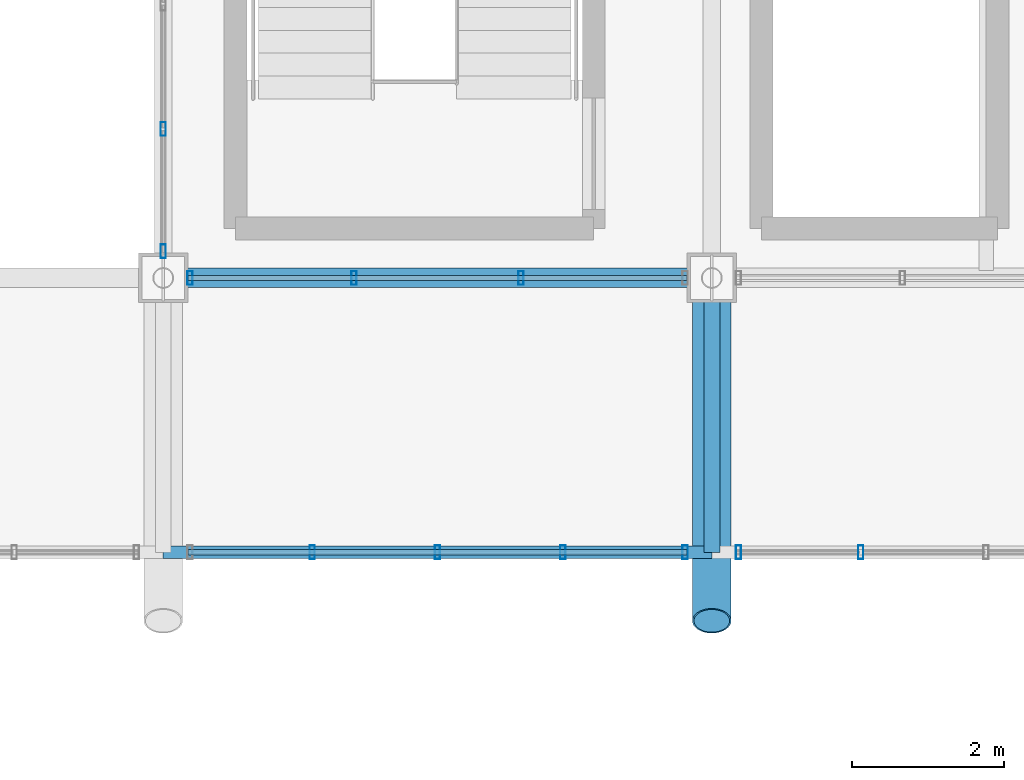
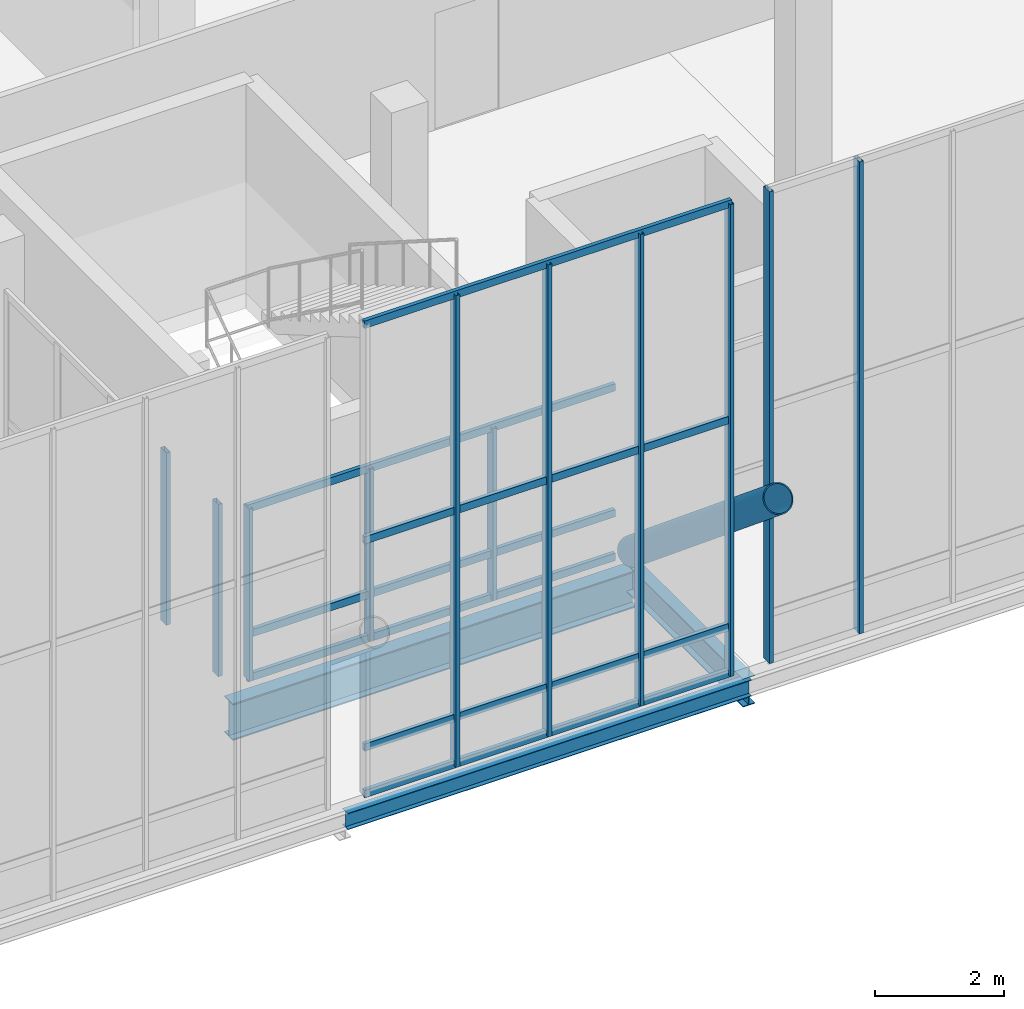
# One storey, part 45 of 102: 19 members, 3 beams, 4 elements without a shape of their own.
"""IFC4 building model written with IfcOpenShell, lengths in metres."""

from ifc_helpers import new_model, si_unit, direction, frame, origin, origin_2d, place, context, subcontext, project, spatial, hollow_rectangle, hollow_circle, i_section, extrude, material, material_profile, profile_set, type_object, element, aggregate, save


model = new_model("IFC4")

# Units and contexts
model_context = context("Model", 3, precision=1e-05, world=origin(), true_north=direction((0.0, 1.0)))
body_context = subcontext(model_context, "Body", "Model", "MODEL_VIEW")
ifc_project = project(units=[si_unit("LENGTHUNIT", "METRE"), si_unit("AREAUNIT", "SQUARE_METRE"), si_unit("VOLUMEUNIT", "CUBIC_METRE"), si_unit("PLANEANGLEUNIT", "RADIAN"), si_unit("MASSUNIT", "GRAM", prefix="KILO")], contexts=[model_context])

# Site, building, storey
site_placement = place(None, origin())
site = spatial("IfcSite", under=ifc_project, at=site_placement, CompositionType="ELEMENT")
building_placement = place(site_placement, origin())
building = spatial("IfcBuilding", under=site, at=building_placement, Name="Yarey Park Central Fire Station", CompositionType="ELEMENT")
storey_placement = place(building_placement, frame((0.0, 0.0, 6.0)))
storey = spatial("IfcBuildingStorey", under=building, at=storey_placement, Name="L02", CompositionType="ELEMENT", Elevation=6.0)

# Curtain wall, members
ifc_material_1 = material(Name="Anodized Aluminium Frame", Category="aluminium")
curtain_wall_type_1 = type_object("IfcCurtainWallType", Name="ENV_CW_CLER_9M", PredefinedType="NOTDEFINED", material=ifc_material_1)
curtain_wall_1_placement = place(storey_placement, origin())
curtain_wall_1 = element("IfcCurtainWall", 1, at=curtain_wall_1_placement, inside=storey, type_object=curtain_wall_type_1, Name="CW_V2_CLER_N_09", PredefinedType="NOTDEFINED")
ifc_material_profile_1 = material_profile(ifc_material_1, hollow_rectangle(XDim=0.070068359375, YDim=0.179931640625, WallThickness=0.00390625, at=origin_2d()), Name="ALU 180x70x4")
ifc_profile_set_1 = profile_set([ifc_material_profile_1], Name="Anodized Aluminium Frame")
member_type_1 = type_object("IfcMemberType", Name="ENV_CW_MULLION", PredefinedType="MULLION", material=ifc_profile_set_1)
member_1_placement = place(storey_placement, frame((122.050048828125, 90.0, 0.0), z_axis=(0.0, 0.0, 1.0), x_axis=(1.0, 0.0, 0.0)))
member_1 = element("IfcMember", 2, at=member_1_placement, type_object=member_type_1, Name="CW_V2_CLER_N_09_MUL1", PredefinedType="MULLION", context=body_context, shape_type="SweptSolid", body=[
    extrude(hollow_rectangle(XDim=0.070068359375, YDim=0.179931640625, WallThickness=0.00390625, at=origin_2d()), origin(), (0.0, 0.0, 1.0), 8.89990234375),
])
member_2_placement = place(storey_placement, frame((120.445068359375, 90.0, 0.0), z_axis=(0.0, 0.0, 1.0), x_axis=(1.0, 0.0, 0.0)))
member_2 = element("IfcMember", 3, at=member_2_placement, type_object=member_type_1, Name="CW_V2_CLER_N_09_MUL2", PredefinedType="MULLION", context=body_context, shape_type="SweptSolid", body=[
    extrude(hollow_rectangle(XDim=0.070068359375, YDim=0.179931640625, WallThickness=0.00390625, at=origin_2d()), origin(), (0.0, 0.0, 1.0), 8.89990234375),
])
member_3_placement = place(storey_placement, frame((118.800048828125, 90.0, 0.0), z_axis=(0.0, 0.0, 1.0), x_axis=(1.0, 0.0, 0.0)))
member_3 = element("IfcMember", 4, at=member_3_placement, type_object=member_type_1, Name="CW_V2_CLER_N_09_MUL3", PredefinedType="MULLION", context=body_context, shape_type="SweptSolid", body=[
    extrude(hollow_rectangle(XDim=0.070068359375, YDim=0.179931640625, WallThickness=0.00390625, at=origin_2d()), origin(), (0.0, 0.0, 1.0), 8.89990234375),
])
member_4_placement = place(storey_placement, frame((117.155029296875, 90.0, 0.0), z_axis=(0.0, 0.0, 1.0), x_axis=(1.0, 0.0, 0.0)))
member_4 = element("IfcMember", 5, at=member_4_placement, type_object=member_type_1, Name="CW_V2_CLER_N_09_MUL4", PredefinedType="MULLION", context=body_context, shape_type="SweptSolid", body=[
    extrude(hollow_rectangle(XDim=0.070068359375, YDim=0.179931640625, WallThickness=0.00390625, at=origin_2d()), origin(), (0.0, 0.0, 1.0), 8.89990234375),
])

curtain_wall_2_placement = place(storey_placement, origin())
curtain_wall_2 = element("IfcCurtainWall", 6, at=curtain_wall_2_placement, inside=storey, type_object=curtain_wall_type_1, Name="CW_V2_CLER_N_10", PredefinedType="NOTDEFINED")
member_5_placement = place(storey_placement, frame((124.35498046875, 90.0, 0.0), z_axis=(0.0, 0.0, 1.0), x_axis=(1.0, 0.0, 0.0)))
member_5 = element("IfcMember", 7, at=member_5_placement, type_object=member_type_1, Name="CW_V2_CLER_N_10_MUL4", PredefinedType="MULLION", context=body_context, shape_type="SweptSolid", body=[
    extrude(hollow_rectangle(XDim=0.070068359375, YDim=0.179931640625, WallThickness=0.00390625, at=origin_2d()), origin(), (0.0, 0.0, 1.0), 8.89990234375),
])
member_6_placement = place(storey_placement, frame((122.75, 90.0, 0.0), z_axis=(0.0, 0.0, 1.0), x_axis=(1.0, 0.0, 0.0)))
member_6 = element("IfcMember", 8, at=member_6_placement, type_object=member_type_1, Name="CW_V2_CLER_N_10_MUL5", PredefinedType="MULLION", context=body_context, shape_type="SweptSolid", body=[
    extrude(hollow_rectangle(XDim=0.070068359375, YDim=0.179931640625, WallThickness=0.00390625, at=origin_2d()), origin(), (0.0, 0.0, 1.0), 8.89990234375),
])
aggregate(curtain_wall_2, [member_5, member_6])

curtain_wall_type_2 = type_object("IfcCurtainWallType", Name="ENV_CW_HQ_L02", PredefinedType="NOTDEFINED", material=ifc_material_1)
curtain_wall_3_placement = place(storey_placement, origin())
curtain_wall_3 = element("IfcCurtainWall", 9, at=curtain_wall_3_placement, inside=storey, type_object=curtain_wall_type_2, Name="CW_L02_V4_S_1", PredefinedType="NOTDEFINED")
member_7_placement = place(storey_placement, frame((115.550048828125, 93.60009765625, 0.0), z_axis=(0.0, 0.0, 1.0), x_axis=(1.0, 0.0, 0.0)))
member_7 = element("IfcMember", 10, at=member_7_placement, type_object=member_type_1, Name="CW_L02_V4_S_1_MUL1", PredefinedType="MULLION", context=body_context, shape_type="SweptSolid", body=[
    extrude(hollow_rectangle(XDim=0.070068359375, YDim=0.179931640625, WallThickness=0.00390625, at=origin_2d()), origin(), (0.0, 0.0, 1.0), 3.2470703125),
])
member_8_placement = place(storey_placement, frame((117.703369140625, 93.60009765625, 0.0), z_axis=(0.0, 0.0, 1.0), x_axis=(1.0, 0.0, 0.0)))
member_8 = element("IfcMember", 11, at=member_8_placement, type_object=member_type_1, Name="CW_L02_V4_S_1_MUL2", PredefinedType="MULLION", context=body_context, shape_type="SweptSolid", body=[
    extrude(hollow_rectangle(XDim=0.070068359375, YDim=0.179931640625, WallThickness=0.00390625, at=origin_2d()), origin(), (0.0, 0.0, 1.0), 3.2470703125),
])
member_9_placement = place(storey_placement, frame((119.896728515625, 93.60009765625, 0.0), z_axis=(0.0, 0.0, 1.0), x_axis=(1.0, 0.0, 0.0)))
member_9 = element("IfcMember", 12, at=member_9_placement, type_object=member_type_1, Name="CW_L02_V4_S_1_MUL3", PredefinedType="MULLION", context=body_context, shape_type="SweptSolid", body=[
    extrude(hollow_rectangle(XDim=0.070068359375, YDim=0.179931640625, WallThickness=0.00390625, at=origin_2d()), origin(), (0.0, 0.0, 1.0), 3.2470703125),
])

curtain_wall_4_placement = place(storey_placement, origin())
curtain_wall_4 = element("IfcCurtainWall", 13, at=curtain_wall_4_placement, inside=storey, type_object=curtain_wall_type_2, Name="CW_L02_V4_W_93", PredefinedType="NOTDEFINED")
member_10_placement = place(storey_placement, frame((115.199951171875, 95.554931640625, 0.0), z_axis=(0.0, 0.0, 1.0), x_axis=(1.0, 0.0, 0.0)))
member_10 = element("IfcMember", 14, at=member_10_placement, type_object=member_type_1, Name="CW_L02_V4_W_93_MUL4", PredefinedType="MULLION", context=body_context, shape_type="SweptSolid", body=[
    extrude(hollow_rectangle(XDim=0.070068359375, YDim=0.179931640625, WallThickness=0.00390625, at=origin_2d()), origin(), (0.0, 0.0, 1.0), 3.25),
])
member_11_placement = place(storey_placement, frame((115.199951171875, 93.949951171875, 0.0), z_axis=(0.0, 0.0, 1.0), x_axis=(1.0, 0.0, 0.0)))
member_11 = element("IfcMember", 15, at=member_11_placement, type_object=member_type_1, Name="CW_L02_V4_W_93_MUL5", PredefinedType="MULLION", context=body_context, shape_type="SweptSolid", body=[
    extrude(hollow_rectangle(XDim=0.070068359375, YDim=0.179931640625, WallThickness=0.00390625, at=origin_2d()), origin(), (0.0, 0.0, 1.0), 3.25),
])
aggregate(curtain_wall_4, [member_10, member_11])

# Member
ifc_material_profile_2 = material_profile(ifc_material_1, hollow_rectangle(XDim=0.070068359375, YDim=0.139892578125, WallThickness=0.00390625, at=origin_2d()), Name="ALU 140x70x4")
ifc_profile_set_2 = profile_set([ifc_material_profile_2], Name="Anodized Aluminium Frame")
member_type_2 = type_object("IfcMemberType", Name="ENV_CW_TRANSOM", PredefinedType="USERDEFINED", material=ifc_profile_set_2)
member_12_placement = place(storey_placement, frame((122.074951171875, 90.0, 0.02490234375), z_axis=(-1.0, 0.0, 0.0), x_axis=(0.0, -1.0, 0.0)))
member_12 = element("IfcMember", 16, at=member_12_placement, type_object=member_type_2, Name="CW_V2_CLER_N_09_TRN1", ObjectType="TRANSOM", PredefinedType="USERDEFINED", context=body_context, shape_type="SweptSolid", body=[
    extrude(hollow_rectangle(XDim=0.070068359375, YDim=0.139892578125, WallThickness=0.00390625, at=origin_2d()), origin(), (0.0, 0.0, 1.0), 6.550048828125),
])

member_13_placement = place(storey_placement, frame((122.074951171875, 90.0, 0.89990234375), z_axis=(-1.0, 0.0, 0.0), x_axis=(0.0, -1.0, 0.0)))
member_13 = element("IfcMember", 17, at=member_13_placement, type_object=member_type_2, Name="CW_V2_CLER_N_09_TRN2", ObjectType="TRANSOM", PredefinedType="USERDEFINED", context=body_context, shape_type="SweptSolid", body=[
    extrude(hollow_rectangle(XDim=0.070068359375, YDim=0.139892578125, WallThickness=0.00390625, at=origin_2d()), origin(), (0.0, 0.0, 1.0), 6.550048828125),
])

member_14_placement = place(storey_placement, frame((122.074951171875, 90.0, 4.805908203125), z_axis=(-1.0, 0.0, 0.0), x_axis=(0.0, -1.0, 0.0)))
member_14 = element("IfcMember", 18, at=member_14_placement, type_object=member_type_2, Name="CW_V2_CLER_N_09_TRN3", ObjectType="TRANSOM", PredefinedType="USERDEFINED", context=body_context, shape_type="SweptSolid", body=[
    extrude(hollow_rectangle(XDim=0.070068359375, YDim=0.139892578125, WallThickness=0.00390625, at=origin_2d()), origin(), (0.0, 0.0, 1.0), 6.550048828125),
])

member_15_placement = place(storey_placement, frame((122.074951171875, 90.0, 8.875), z_axis=(-1.0, 0.0, 0.0), x_axis=(0.0, -1.0, 0.0)))
member_15 = element("IfcMember", 19, at=member_15_placement, type_object=member_type_2, Name="CW_V2_CLER_N_09_TRN4", ObjectType="TRANSOM", PredefinedType="USERDEFINED", context=body_context, shape_type="SweptSolid", body=[
    extrude(hollow_rectangle(XDim=0.070068359375, YDim=0.139892578125, WallThickness=0.00390625, at=origin_2d()), origin(), (0.0, 0.0, 1.0), 6.550048828125),
])

aggregate(curtain_wall_1, [member_1, member_2, member_3, member_4, member_12, member_13, member_14, member_15])

member_16_placement = place(storey_placement, frame((115.52490234375, 93.60009765625, 0.02490234375), z_axis=(1.0, 0.0, 0.0), x_axis=(0.0, 1.0, 0.0)))
member_16 = element("IfcMember", 20, at=member_16_placement, type_object=member_type_2, Name="CW_L02_V4_S_1_TRN1", ObjectType="TRANSOM", PredefinedType="USERDEFINED", context=body_context, shape_type="SweptSolid", body=[
    extrude(hollow_rectangle(XDim=0.070068359375, YDim=0.139892578125, WallThickness=0.00390625, at=origin_2d()), origin(), (0.0, 0.0, 1.0), 6.550048828125),
])

member_17_placement = place(storey_placement, frame((115.52490234375, 93.60009765625, 0.85009765625), z_axis=(1.0, 0.0, 0.0), x_axis=(0.0, 1.0, 0.0)))
member_17 = element("IfcMember", 21, at=member_17_placement, type_object=member_type_2, Name="CW_L02_V4_S_1_TRN2", ObjectType="TRANSOM", PredefinedType="USERDEFINED", context=body_context, shape_type="SweptSolid", body=[
    extrude(hollow_rectangle(XDim=0.070068359375, YDim=0.139892578125, WallThickness=0.00390625, at=origin_2d()), origin(), (0.0, 0.0, 1.0), 6.550048828125),
])

member_18_placement = place(storey_placement, frame((115.52490234375, 93.60009765625, 3.221923828125), z_axis=(1.0, 0.0, 0.0), x_axis=(0.0, 1.0, 0.0)))
member_18 = element("IfcMember", 22, at=member_18_placement, type_object=member_type_2, Name="CW_L02_V4_S_1_TRN3", ObjectType="TRANSOM", PredefinedType="USERDEFINED", context=body_context, shape_type="SweptSolid", body=[
    extrude(hollow_rectangle(XDim=0.070068359375, YDim=0.139892578125, WallThickness=0.00390625, at=origin_2d()), origin(), (0.0, 0.0, 1.0), 6.550048828125),
])

aggregate(curtain_wall_3, [member_7, member_8, member_9, member_16, member_17, member_18])

# Beams
ifc_material_2 = material(Name="Steel ASTM A992 Gr. 50", Category="steel")
ifc_material_profile_3 = material_profile(ifc_material_2, i_section(OverallWidth=0.208984375, OverallDepth=0.532958984375, WebThickness=0.01025390625, FlangeThickness=0.015625, at=origin_2d()), Name="W530x92")
ifc_profile_set_3 = profile_set([ifc_material_profile_3], Name="Steel ASTM A992 Gr. 50")
beam_type_1 = type_object("IfcBeamType", Name="STR_BM_W530", PredefinedType="BEAM", material=ifc_profile_set_3)
beam_1_placement = place(storey_placement, frame((122.39990234375, 90.0, -0.46142578125), z_axis=(0.0, 1.0, 0.0), x_axis=(-1.0, 0.0, 0.0)))
element("IfcBeam", 23, at=beam_1_placement, inside=storey, type_object=beam_type_1, Name="EAVE RIB N 09", PredefinedType="BEAM", context=body_context, shape_type="SweptSolid", body=[
    extrude(i_section(OverallWidth=0.208984375, OverallDepth=0.532958984375, WebThickness=0.01025390625, FlangeThickness=0.015625, at=origin_2d()), origin(), (0.0, 0.0, 1.0), 3.60009765625),
])
ifc_material_profile_4 = material_profile(ifc_material_2, i_section(OverallWidth=0.256103515625, OverallDepth=0.693115234375, WebThickness=0.014404296875, FlangeThickness=0.023681640625, at=origin_2d()), Name="W690x170")
ifc_profile_set_4 = profile_set([ifc_material_profile_4], Name="Steel ASTM A992 Gr. 50")
beam_type_2 = type_object("IfcBeamType", Name="STR_BM_W690", PredefinedType="BEAM", material=ifc_profile_set_4)
beam_2_placement = place(storey_placement, frame((115.199951171875, 93.60009765625, -0.631591796875), z_axis=(1.0, 0.0, 0.0), x_axis=(0.0, 1.0, 0.0)))
element("IfcBeam", 24, at=beam_2_placement, inside=storey, type_object=beam_type_2, Name="BMX L02 Y936 X1152", PredefinedType="BEAM", context=body_context, shape_type="SweptSolid", body=[
    extrude(i_section(OverallWidth=0.256103515625, OverallDepth=0.693115234375, WebThickness=0.014404296875, FlangeThickness=0.023681640625, at=origin_2d()), origin(), (0.0, 0.0, 1.0), 7.199951171875),
])

# Member
ifc_material_3 = material(Name="Steel ASTM A500 Gr. C", Category="steel")
ifc_material_profile_5 = material_profile(ifc_material_3, hollow_circle(Radius=0.25390625, WallThickness=0.02001953125, at=origin_2d()), Name="CHS 508x20")
ifc_profile_set_5 = profile_set([ifc_material_profile_5], Name="Steel ASTM A500 Gr. C")
member_type_3 = type_object("IfcMemberType", Name="STR_CHORD_CHS508", PredefinedType="CHORD", material=ifc_profile_set_5)
member_19_placement = place(storey_placement, frame((122.39990234375, 89.10009765625, 3.71875), z_axis=(0.0, 0.770847459396, -0.637019775473), x_axis=(-1.0, 0.0, 0.0)))
element("IfcMember", 25, at=member_19_placement, inside=storey, type_object=member_type_3, Name="Arched Roof Truss ART_10 Bottom Chord 8", PredefinedType="CHORD", context=body_context, shape_type="SweptSolid", body=[
    extrude(hollow_circle(Radius=0.25390625, WallThickness=0.02001953125, at=origin_2d()), origin(), (0.0, 0.0, 1.0), 5.837646484375),
])

# Beam
ifc_material_profile_6 = material_profile(ifc_material_2, i_section(OverallWidth=0.1650390625, OverallDepth=0.31005859375, WebThickness=0.005859375, FlangeThickness=0.009765625, at=origin_2d()), Name="W310x39")
ifc_profile_set_6 = profile_set([ifc_material_profile_6], Name="Steel ASTM A992 Gr. 50")
beam_type_3 = type_object("IfcBeamType", Name="STR_SPN_W310", PredefinedType="SPANDREL", material=ifc_profile_set_6)
beam_3_placement = place(storey_placement, frame((115.199951171875, 90.0, -0.35009765625), z_axis=(1.0, 0.0, 0.0), x_axis=(0.0, 1.0, 0.0)))
element("IfcBeam", 26, at=beam_3_placement, inside=storey, type_object=beam_type_3, Name="EAVE EDG N 08", PredefinedType="SPANDREL", context=body_context, shape_type="SweptSolid", body=[
    extrude(i_section(OverallWidth=0.1650390625, OverallDepth=0.31005859375, WebThickness=0.005859375, FlangeThickness=0.009765625, at=origin_2d()), origin(), (0.0, 0.0, 1.0), 7.199951171875),
])

save(model, "model.ifc")
